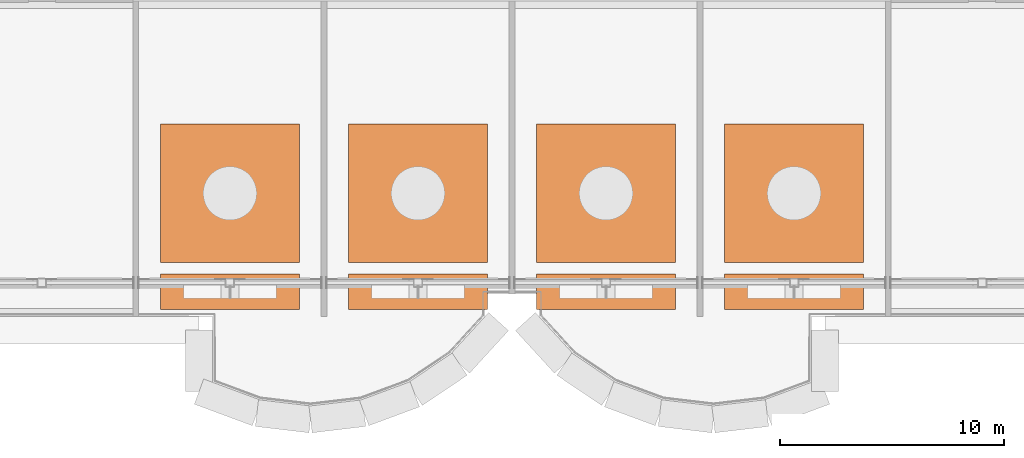
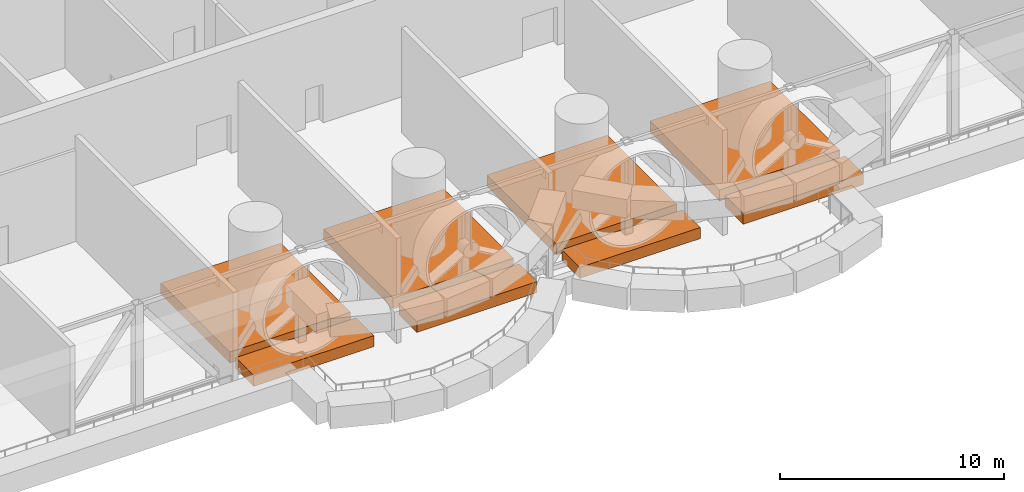
# One storey, part 15 of 15: 8 proxies.
"""IFC4 building model written with IfcOpenShell, lengths in metres."""

from ifc_helpers import new_model, si_unit, direction, frame, origin, origin_2d, place, context, subcontext, project, spatial, rectangle, extrude, source, transform, mapped, material, type_object, element, save


model = new_model("IFC4")

# Units and contexts
model_context = context("Model", 3, precision=1e-05, world=origin(), true_north=direction((0.0, 1.0)))
body_context = subcontext(model_context, "Body", "Model", "MODEL_VIEW")
ifc_project = project(units=[si_unit("LENGTHUNIT", "METRE"), si_unit("AREAUNIT", "SQUARE_METRE"), si_unit("VOLUMEUNIT", "CUBIC_METRE"), si_unit("PLANEANGLEUNIT", "RADIAN"), si_unit("MASSUNIT", "GRAM", prefix="KILO")], contexts=[model_context])

# Site, building, storey
site_placement = place(None, origin())
site = spatial("IfcSite", under=ifc_project, at=site_placement, CompositionType="ELEMENT")
building_placement = place(site_placement, origin())
building = spatial("IfcBuilding", under=site, at=building_placement, Name="Vanashikhar Sky Hotel", CompositionType="ELEMENT")
storey_placement = place(building_placement, frame((0.0, 0.0, 317.699951171875)))
storey = spatial("IfcBuildingStorey", under=building, at=storey_placement, Name="L76", CompositionType="ELEMENT", Elevation=317.699951171875)

# Proxies
ifc_material = material(Name="Concrete M50", Category="concrete")
building_element_proxy_type_1 = type_object("IfcBuildingElementProxyType", Name="Turbine plinth 6200 x 6200", PredefinedType="USERDEFINED", material=ifc_material)
shared_shape_1 = source(origin(), body_context, "Body", "SweptSolid", [
    extrude(rectangle(XDim=6.199951171875, YDim=6.199951171875, at=origin_2d()), origin(), (0.0, 0.0, 1.0), 0.60009765625),
])
for number, where, z_axis, x_axis, name in (
    (1, (37.800048828125, 11.0, 0.0), (0.0, 0.0, 1.0), (1.0, 0.0, 0.0), "Turbine plinth 1"),
    (2, (46.199951171875, 11.0, 0.0), (0.0, 0.0, 1.0), (1.0, 0.0, 0.0), "Turbine plinth 2"),
    (3, (54.60009765625, 11.0, 0.0), (0.0, 0.0, 1.0), (1.0, 0.0, 0.0), "Turbine plinth 3"),
    (4, (63.0, 11.0, 0.0), (0.0, 0.0, 1.0), (1.0, 0.0, 0.0), "Turbine plinth 4"),
):
    element("IfcBuildingElementProxy", number, at=place(storey_placement, frame(where, z_axis=z_axis, x_axis=x_axis)), inside=storey, type_object=building_element_proxy_type_1, Name=name, ObjectType="PLINTH", PredefinedType="USERDEFINED", context=body_context, shape_type="MappedRepresentation", body=[
        mapped(shared_shape_1, transform((0.0, 0.0, 0.0), scale=1.0)),
    ])
building_element_proxy_type_2 = type_object("IfcBuildingElementProxyType", Name="Turbine ring plinth 6200 x 1600", PredefinedType="USERDEFINED", material=ifc_material)
shared_shape_2 = source(origin(), body_context, "Body", "SweptSolid", [
    extrude(rectangle(XDim=6.199951171875, YDim=1.60009765625, at=origin_2d()), origin(), (0.0, 0.0, 1.0), 0.60009765625),
])
for number, where, z_axis, x_axis, name in (
    (5, (37.800048828125, 6.60009765625, 0.0), (0.0, 0.0, 1.0), (1.0, 0.0, 0.0), "Turbine ring plinth 1"),
    (6, (46.199951171875, 6.60009765625, 0.0), (0.0, 0.0, 1.0), (1.0, 0.0, 0.0), "Turbine ring plinth 2"),
    (7, (54.60009765625, 6.60009765625, 0.0), (0.0, 0.0, 1.0), (1.0, 0.0, 0.0), "Turbine ring plinth 3"),
    (8, (63.0, 6.60009765625, 0.0), (0.0, 0.0, 1.0), (1.0, 0.0, 0.0), "Turbine ring plinth 4"),
):
    element("IfcBuildingElementProxy", number, at=place(storey_placement, frame(where, z_axis=z_axis, x_axis=x_axis)), inside=storey, type_object=building_element_proxy_type_2, Name=name, ObjectType="PLINTH", PredefinedType="USERDEFINED", context=body_context, shape_type="MappedRepresentation", body=[
        mapped(shared_shape_2, transform((0.0, 0.0, 0.0), scale=1.0)),
    ])

save(model, "model.ifc")
